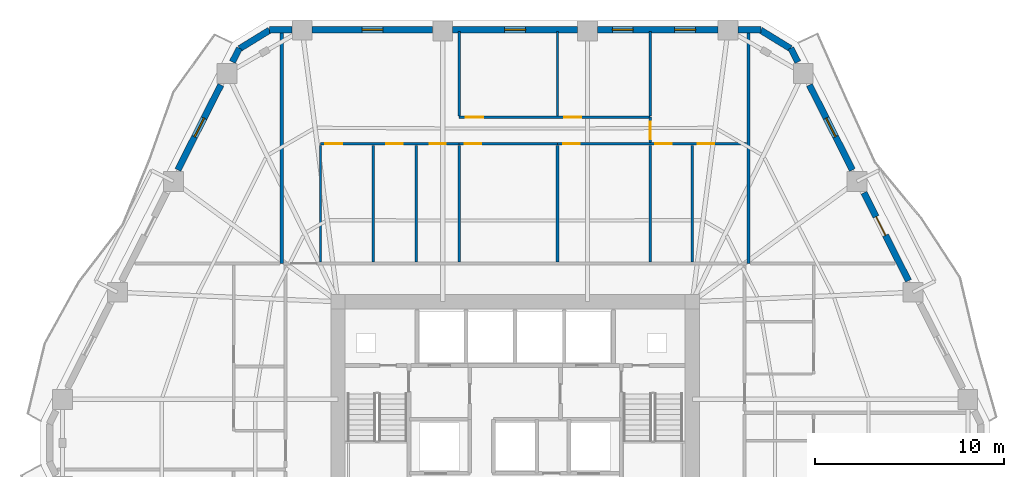
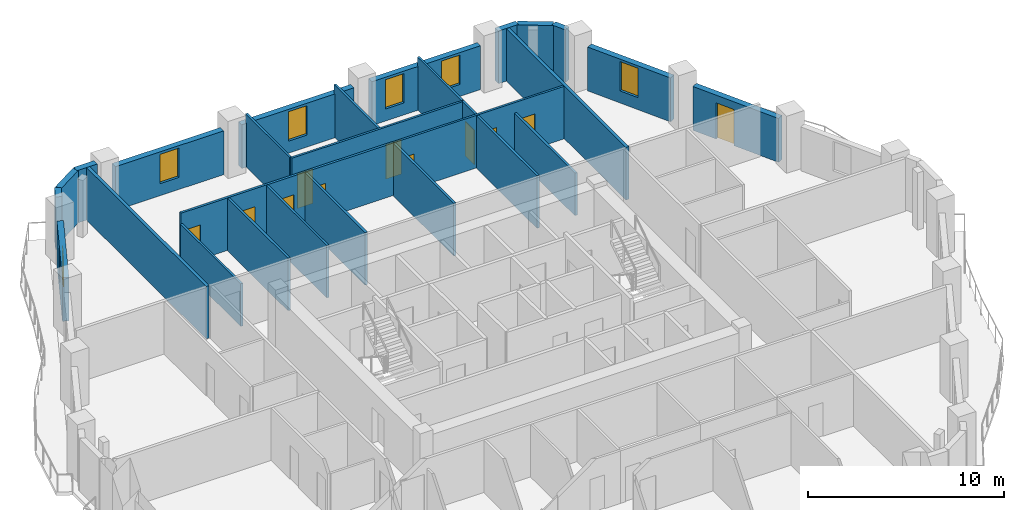
# One storey, part 7 of 11: 29 walls, 11 doors, 6 windows, 17 openings.
"""IFC4 building model written with IfcOpenShell, lengths in metres."""

from ifc_helpers import new_model, si_unit, direction, frame, frame_2d, origin, place, context, subcontext, project, spatial, rectangle, extrude, material, layer, layer_set, type_object, element, fill, save


model = new_model("IFC4")

# Units and contexts
model_context = context("Model", 3, precision=1e-05, world=origin(), true_north=direction((0.0, 1.0)))
body_context = subcontext(model_context, "Body", "Model", "MODEL_VIEW")
ifc_project = project(units=[si_unit("LENGTHUNIT", "METRE"), si_unit("AREAUNIT", "SQUARE_METRE"), si_unit("VOLUMEUNIT", "CUBIC_METRE"), si_unit("PLANEANGLEUNIT", "RADIAN"), si_unit("MASSUNIT", "GRAM", prefix="KILO")], contexts=[model_context])

# Site, building, storey
site_placement = place(None, origin())
site = spatial("IfcSite", under=ifc_project, at=site_placement, CompositionType="ELEMENT")
building_placement = place(site_placement, origin())
building = spatial("IfcBuilding", under=site, at=building_placement, Name="Cinnabar Lancet Tower", CompositionType="ELEMENT")
storey_placement = place(building_placement, frame((0.0, 0.0, 144.550048828125)))
storey = spatial("IfcBuildingStorey", under=building, at=storey_placement, Name="L38", CompositionType="ELEMENT", Elevation=144.550048828125)

# Walls
ifc_material_1 = material(Name="Fire-rated twin-frame acoustic drywall", Category="gypsum")
ifc_layer_1 = layer(ifc_material_1, 0.179931640625)
ifc_layer_set_1 = layer_set([ifc_layer_1], Name="Fire-rated twin-frame acoustic drywall")
wall_type_1 = type_object("IfcWallType", Name="ARC-WL-PARTY-180", PredefinedType="PARTITIONING", material=ifc_layer_set_1)
for number, where, z_axis, x_axis, name in (
    (1, (20.050048828125, 35.300048828125, 0.0), (0.0, 0.0, 1.0), (0.0, 1.0, 0.0), "PW-L38-NPTY-200"),
    (2, (44.75, 35.300048828125, 0.0), (0.0, 0.0, 1.0), (0.0, 1.0, 0.0), "PW-L38-NPTY-448"),
):
    element("IfcWall", number, at=place(storey_placement, frame(where, z_axis=z_axis, x_axis=x_axis)), inside=storey, type_object=wall_type_1, Name=name, PredefinedType="PARTITIONING", context=body_context, shape_type="SweptSolid", body=[
        extrude(rectangle(XDim=12.195068359375, YDim=0.179931640625, at=frame_2d((6.09765625, 0.0))), origin(), (0.0, 0.0, 1.0), 3.27001953125),
    ])
ifc_material_2 = material(Name="Gypsum plasterboard stud partition", Category="gypsum")
ifc_layer_2 = layer(ifc_material_2, 0.125)
ifc_layer_set_2 = layer_set([ifc_layer_2], Name="Gypsum plasterboard stud partition")
wall_type_2 = type_object("IfcWallType", Name="ARC-WL-UNIT-125", PredefinedType="PARTITIONING", material=ifc_layer_set_2)
wall_1_placement = place(storey_placement, frame((22.10009765625, 35.385009765625, 0.0), z_axis=(0.0, 0.0, 1.0), x_axis=(0.0, 1.0, 0.0)))
element("IfcWall", 3, at=wall_1_placement, inside=storey, type_object=wall_type_2, Name="UW-L38-N01-FOYE", PredefinedType="PARTITIONING", context=body_context, shape_type="SweptSolid", body=[
    extrude(rectangle(XDim=6.15087890625, YDim=0.125, at=frame_2d((3.075439453125, 0.0))), origin(), (0.0, 0.0, 1.0), 2.65185546875),
])

# Wall, openings, doors
wall_2_placement = place(storey_placement, frame((34.64306640625, 41.64111328125, 0.0), z_axis=(0.0, 0.0, 1.0), x_axis=(1.0, 0.0, 0.0)))
wall_2 = element("IfcWall", 4, at=wall_2_placement, inside=storey, type_object=wall_type_2, Name="UW-L38-N01-SP2", PredefinedType="PARTITIONING", context=body_context, shape_type="SweptSolid", body=[
    extrude(rectangle(XDim=10.011962890625, YDim=0.125, at=frame_2d((5.005859375, 0.0))), origin(), (0.0, 0.0, 1.0), 3.27001953125),
])
opening_1_placement = place(wall_2_placement, frame((5.179931640625, 0.0, 0.0)))
opening_1 = element("IfcOpeningElement", 5, at=opening_1_placement, cuts=wall_2, Name="Opening BD-01", PredefinedType="OPENING", context=body_context, shape_type="SweptSolid", body=[
    extrude(rectangle(XDim=0.860107421875, YDim=2.10009765625, at=frame_2d((0.43017578125, 1.050048828125))), frame((0.0, 0.072509765625, 0.0), z_axis=(0.0, -1.0, 0.0), x_axis=(1.0, 0.0, 0.0)), (0.0, 0.0, 1.0), 0.14501953125),
])
opening_2_placement = place(wall_2_placement, frame((7.4130859375, 0.0, 0.0)))
opening_2 = element("IfcOpeningElement", 6, at=opening_2_placement, cuts=wall_2, Name="Opening RD-02", PredefinedType="OPENING", context=body_context, shape_type="SweptSolid", body=[
    extrude(rectangle(XDim=0.8798828125, YDim=2.14990234375, at=frame_2d((0.43994140625, 1.074951171875))), frame((0.0, 0.072509765625, 0.0), z_axis=(0.0, -1.0, 0.0), x_axis=(1.0, 0.0, 0.0)), (0.0, 0.0, 1.0), 0.14501953125),
])
opening_3_placement = place(wall_2_placement, frame((0.300048828125, 0.0, 0.0)))
opening_3 = element("IfcOpeningElement", 7, at=opening_3_placement, cuts=wall_2, Name="Opening RD-02", PredefinedType="OPENING", context=body_context, shape_type="SweptSolid", body=[
    extrude(rectangle(XDim=0.8798828125, YDim=2.14990234375, at=frame_2d((0.43994140625, 1.074951171875))), frame((0.0, 0.072509765625, 0.0), z_axis=(0.0, -1.0, 0.0), x_axis=(1.0, 0.0, 0.0)), (0.0, 0.0, 1.0), 0.14501953125),
])
ifc_material_3 = material(Name="Moisture-resistant timber bathroom door", Category="wood")
door_type_1 = type_object("IfcDoorType", Name="ARC-DR-BATH", OperationType="NOTDEFINED", PredefinedType="DOOR", material=ifc_material_3)
door_1_placement = place(opening_1_placement, origin())
door_1 = element("IfcDoor", 8, at=door_1_placement, inside=storey, type_object=door_type_1, Name="DR-L38-N01-ENS", OperationType="SINGLE_SWING_RIGHT", OverallHeight=2.10009765625, OverallWidth=0.860107421875, PredefinedType="DOOR", context=body_context, shape_type="SweptSolid", body=[
    extrude(rectangle(XDim=0.860107421875, YDim=2.10009765625, at=frame_2d((0.43017578125, 1.050048828125))), frame((0.0, 0.02490234375, 0.0), z_axis=(0.0, -1.0, 0.0), x_axis=(1.0, 0.0, 0.0)), (0.0, 0.0, 1.0), 0.050048828125),
])
fill(opening_1, door_1)
ifc_material_4 = material(Name="Engineered timber study door", Category="wood")
door_type_2 = type_object("IfcDoorType", Name="ARC-DR-STUDY", OperationType="NOTDEFINED", PredefinedType="DOOR", material=ifc_material_4)
door_2_placement = place(opening_2_placement, origin())
door_2 = element("IfcDoor", 9, at=door_2_placement, inside=storey, type_object=door_type_2, Name="DR-L38-N01-ENS-WDR", OperationType="SINGLE_SWING_LEFT", OverallHeight=2.14990234375, OverallWidth=0.8798828125, PredefinedType="DOOR", context=body_context, shape_type="SweptSolid", body=[
    extrude(rectangle(XDim=0.8798828125, YDim=2.14990234375, at=frame_2d((0.43994140625, 1.074951171875))), frame((0.0, 0.02490234375, 0.0), z_axis=(0.0, -1.0, 0.0), x_axis=(1.0, 0.0, 0.0)), (0.0, 0.0, 1.0), 0.050048828125),
])
fill(opening_2, door_2)
door_3_placement = place(opening_3_placement, origin())
door_3 = element("IfcDoor", 10, at=door_3_placement, inside=storey, type_object=door_type_2, Name="DR-L38-N01-DRS", OperationType="SINGLE_SWING_LEFT", OverallHeight=2.14990234375, OverallWidth=0.8798828125, PredefinedType="DOOR", context=body_context, shape_type="SweptSolid", body=[
    extrude(rectangle(XDim=0.8798828125, YDim=2.14990234375, at=frame_2d((0.43994140625, 1.074951171875))), frame((0.0, 0.02490234375, 0.0), z_axis=(0.0, -1.0, 0.0), x_axis=(1.0, 0.0, 0.0)), (0.0, 0.0, 1.0), 0.050048828125),
])
fill(opening_3, door_3)

# Walls
wall_3_placement = place(storey_placement, frame((27.162109375, 35.385009765625, 0.0), z_axis=(0.0, 0.0, 1.0), x_axis=(0.0, 1.0, 0.0)))
element("IfcWall", 11, at=wall_3_placement, inside=storey, type_object=wall_type_2, Name="UW-L38-N01-STD", PredefinedType="PARTITIONING", context=body_context, shape_type="SweptSolid", body=[
    extrude(rectangle(XDim=6.15087890625, YDim=0.125, at=frame_2d((3.075439453125, 0.0))), origin(), (0.0, 0.0, 1.0), 3.27001953125),
])
wall_4_placement = place(storey_placement, frame((29.43603515625, 43.10595703125, 0.0), z_axis=(0.0, 0.0, 1.0), x_axis=(0.0, 1.0, 0.0)))
element("IfcWall", 12, at=wall_4_placement, inside=storey, type_object=wall_type_2, Name="UW-L38-N01-BD2W", PredefinedType="PARTITIONING", context=body_context, shape_type="SweptSolid", body=[
    extrude(rectangle(XDim=4.47900390625, YDim=0.125, at=frame_2d((2.239501953125, 0.0))), origin(), (0.0, 0.0, 1.0), 3.27001953125),
])

# Wall, openings, doors
wall_5_placement = place(storey_placement, frame((29.43603515625, 43.041015625, 0.0), z_axis=(0.0, 0.0, 1.0), x_axis=(1.0, 0.0, 0.0)))
wall_5 = element("IfcWall", 13, at=wall_5_placement, inside=storey, type_object=wall_type_2, Name="UW-L38-N01-HLN", PredefinedType="PARTITIONING", context=body_context, shape_type="SweptSolid", body=[
    extrude(rectangle(XDim=10.10693359375, YDim=0.125, at=frame_2d((5.053466796875, 0.0))), origin(), (0.0, 0.0, 1.0), 3.27001953125),
])
opening_4_placement = place(wall_5_placement, frame((0.35009765625, 0.0, 0.0)))
opening_4 = element("IfcOpeningElement", 14, at=opening_4_placement, cuts=wall_5, Name="Opening RD-01", PredefinedType="OPENING", context=body_context, shape_type="SweptSolid", body=[
    extrude(rectangle(XDim=0.919921875, YDim=2.14990234375, at=frame_2d((0.4599609375, 1.074951171875))), frame((0.0, 0.072509765625, 0.0), z_axis=(0.0, -1.0, 0.0), x_axis=(1.0, 0.0, 0.0)), (0.0, 0.0, 1.0), 0.14501953125),
])
opening_5_placement = place(wall_5_placement, frame((5.556884765625, 0.0, 0.0)))
opening_5 = element("IfcOpeningElement", 15, at=opening_5_placement, cuts=wall_5, Name="Opening RD-01", PredefinedType="OPENING", context=body_context, shape_type="SweptSolid", body=[
    extrude(rectangle(XDim=0.919921875, YDim=2.14990234375, at=frame_2d((0.4599609375, 1.074951171875))), frame((0.0, 0.072509765625, 0.0), z_axis=(0.0, -1.0, 0.0), x_axis=(1.0, 0.0, 0.0)), (0.0, 0.0, 1.0), 0.14501953125),
])
ifc_material_5 = material(Name="Engineered timber bedroom door", Category="wood")
door_type_3 = type_object("IfcDoorType", Name="ARC-DR-ROOM", OperationType="NOTDEFINED", PredefinedType="DOOR", material=ifc_material_5)
door_4_placement = place(opening_4_placement, origin())
door_4 = element("IfcDoor", 16, at=door_4_placement, inside=storey, type_object=door_type_3, Name="DR-L38-N01-BD2", OperationType="SINGLE_SWING_RIGHT", OverallHeight=2.14990234375, OverallWidth=0.919921875, PredefinedType="DOOR", context=body_context, shape_type="SweptSolid", body=[
    extrude(rectangle(XDim=0.919921875, YDim=2.14990234375, at=frame_2d((0.4599609375, 1.074951171875))), frame((0.0, 0.02490234375, 0.0), z_axis=(0.0, -1.0, 0.0), x_axis=(1.0, 0.0, 0.0)), (0.0, 0.0, 1.0), 0.050048828125),
])
fill(opening_4, door_4)
door_5_placement = place(opening_5_placement, origin())
door_5 = element("IfcDoor", 17, at=door_5_placement, inside=storey, type_object=door_type_3, Name="DR-L38-N01-BD3", OperationType="SINGLE_SWING_LEFT", OverallHeight=2.14990234375, OverallWidth=0.919921875, PredefinedType="DOOR", context=body_context, shape_type="SweptSolid", body=[
    extrude(rectangle(XDim=0.919921875, YDim=2.14990234375, at=frame_2d((0.4599609375, 1.074951171875))), frame((0.0, 0.02490234375, 0.0), z_axis=(0.0, -1.0, 0.0), x_axis=(1.0, 0.0, 0.0)), (0.0, 0.0, 1.0), 0.050048828125),
])
fill(opening_5, door_5)

# Wall, opening, door
wall_6_placement = place(storey_placement, frame((39.54296875, 41.7109375, 0.0), z_axis=(0.0, 0.0, 1.0), x_axis=(0.0, 1.0, 0.0)))
wall_6 = element("IfcWall", 18, at=wall_6_placement, inside=storey, type_object=wall_type_2, Name="UW-L38-N01-MBE", PredefinedType="PARTITIONING", context=body_context, shape_type="SweptSolid", body=[
    extrude(rectangle(XDim=1.330078125, YDim=0.125, at=frame_2d((0.6650390625, 0.0))), origin(), (0.0, 0.0, 1.0), 3.27001953125),
])
opening_6_placement = place(wall_6_placement, frame((0.159912109375, 0.0, 0.0)))
opening_6 = element("IfcOpeningElement", 19, at=opening_6_placement, cuts=wall_6, Name="Opening RD-01", PredefinedType="OPENING", context=body_context, shape_type="SweptSolid", body=[
    extrude(rectangle(XDim=0.919921875, YDim=2.14990234375, at=frame_2d((0.4599609375, 1.074951171875))), frame((0.0, 0.072509765625, 0.0), z_axis=(0.0, -1.0, 0.0), x_axis=(1.0, 0.0, 0.0)), (0.0, 0.0, 1.0), 0.14501953125),
])
door_6_placement = place(opening_6_placement, origin())
door_6 = element("IfcDoor", 20, at=door_6_placement, inside=storey, type_object=door_type_3, Name="DR-L38-N01-MBD", OperationType="SINGLE_SWING_RIGHT", OverallHeight=2.14990234375, OverallWidth=0.919921875, PredefinedType="DOOR", context=body_context, shape_type="SweptSolid", body=[
    extrude(rectangle(XDim=0.919921875, YDim=2.14990234375, at=frame_2d((0.4599609375, 1.074951171875))), frame((0.0, 0.02490234375, 0.0), z_axis=(0.0, -1.0, 0.0), x_axis=(1.0, 0.0, 0.0)), (0.0, 0.0, 1.0), 0.050048828125),
])
fill(opening_6, door_6)

# Walls
for number, where, z_axis, x_axis, name in (
    (21, (34.64306640625, 43.10595703125, 0.0), (0.0, 0.0, 1.0), (0.0, 1.0, 0.0), "UW-L38-N01-MB2W"),
    (22, (39.54296875, 43.10595703125, 0.0), (0.0, 0.0, 1.0), (0.0, 1.0, 0.0), "UW-L38-N01-B23W"),
):
    element("IfcWall", number, at=place(storey_placement, frame(where, z_axis=z_axis, x_axis=x_axis)), inside=storey, type_object=wall_type_2, Name=name, PredefinedType="PARTITIONING", context=body_context, shape_type="SweptSolid", body=[
        extrude(rectangle(XDim=4.47900390625, YDim=0.125, at=frame_2d((2.239501953125, 0.0))), origin(), (0.0, 0.0, 1.0), 3.27001953125),
    ])

# Wall, openings, doors
ifc_material_6 = material(Name="Moisture-resistant cement-board plumbing wall", Category="masonry")
ifc_layer_3 = layer(ifc_material_6, 0.139892578125)
ifc_layer_set_3 = layer_set([ifc_layer_3], Name="Moisture-resistant cement-board plumbing wall")
wall_type_3 = type_object("IfcWallType", Name="ARC-WL-WET-140", PredefinedType="PLUMBINGWALL", material=ifc_layer_set_3)
wall_7_placement = place(storey_placement, frame((22.10009765625, 41.64111328125, 0.0), z_axis=(0.0, 0.0, 1.0), x_axis=(1.0, 0.0, 0.0)))
wall_7 = element("IfcWall", 23, at=wall_7_placement, inside=storey, type_object=wall_type_3, Name="UW-L38-N01-SPL", PredefinedType="PLUMBINGWALL", context=body_context, shape_type="SweptSolid", body=[
    extrude(rectangle(XDim=7.3359375, YDim=0.139892578125, at=frame_2d((3.66796875, 0.0))), origin(), (0.0, 0.0, 1.0), 3.27001953125),
])
opening_7_placement = place(wall_7_placement, frame((5.77392578125, 0.0, 0.0)))
opening_7 = element("IfcOpeningElement", 24, at=opening_7_placement, cuts=wall_7, Name="Opening BD-01", PredefinedType="OPENING", context=body_context, shape_type="SweptSolid", body=[
    extrude(rectangle(XDim=0.860107421875, YDim=2.10009765625, at=frame_2d((0.43017578125, 1.050048828125))), frame((0.0, 0.079833984375, 0.0), z_axis=(0.0, -1.0, 0.0), x_axis=(1.0, 0.0, 0.0)), (0.0, 0.0, 1.0), 0.159912109375),
])
opening_8_placement = place(wall_7_placement, frame((0.260009765625, 0.0, 0.0)))
opening_8 = element("IfcOpeningElement", 25, at=opening_8_placement, cuts=wall_7, Name="Opening RD-02", PredefinedType="OPENING", context=body_context, shape_type="SweptSolid", body=[
    extrude(rectangle(XDim=0.8798828125, YDim=2.14990234375, at=frame_2d((0.43994140625, 1.074951171875))), frame((0.0, 0.079833984375, 0.0), z_axis=(0.0, -1.0, 0.0), x_axis=(1.0, 0.0, 0.0)), (0.0, 0.0, 1.0), 0.159912109375),
])
opening_9_placement = place(wall_7_placement, frame((3.485107421875, 0.0, 0.0)))
opening_9 = element("IfcOpeningElement", 26, at=opening_9_placement, cuts=wall_7, Name="Opening RD-02", PredefinedType="OPENING", context=body_context, shape_type="SweptSolid", body=[
    extrude(rectangle(XDim=0.8798828125, YDim=2.14990234375, at=frame_2d((0.43994140625, 1.074951171875))), frame((0.0, 0.079833984375, 0.0), z_axis=(0.0, -1.0, 0.0), x_axis=(1.0, 0.0, 0.0)), (0.0, 0.0, 1.0), 0.159912109375),
])
door_7_placement = place(opening_7_placement, origin())
door_7 = element("IfcDoor", 27, at=door_7_placement, inside=storey, type_object=door_type_1, Name="DR-L38-N01-BTH", OperationType="SINGLE_SWING_RIGHT", OverallHeight=2.10009765625, OverallWidth=0.860107421875, PredefinedType="DOOR", context=body_context, shape_type="SweptSolid", body=[
    extrude(rectangle(XDim=0.860107421875, YDim=2.10009765625, at=frame_2d((0.43017578125, 1.050048828125))), frame((0.0, 0.02490234375, 0.0), z_axis=(0.0, -1.0, 0.0), x_axis=(1.0, 0.0, 0.0)), (0.0, 0.0, 1.0), 0.050048828125),
])
fill(opening_7, door_7)
door_8_placement = place(opening_8_placement, origin())
door_8 = element("IfcDoor", 28, at=door_8_placement, inside=storey, type_object=door_type_2, Name="DR-L38-N01-KIT", OperationType="SINGLE_SWING_RIGHT", OverallHeight=2.14990234375, OverallWidth=0.8798828125, PredefinedType="DOOR", context=body_context, shape_type="SweptSolid", body=[
    extrude(rectangle(XDim=0.8798828125, YDim=2.14990234375, at=frame_2d((0.43994140625, 1.074951171875))), frame((0.0, 0.02490234375, 0.0), z_axis=(0.0, -1.0, 0.0), x_axis=(1.0, 0.0, 0.0)), (0.0, 0.0, 1.0), 0.050048828125),
])
fill(opening_8, door_8)
door_9_placement = place(opening_9_placement, origin())
door_9 = element("IfcDoor", 29, at=door_9_placement, inside=storey, type_object=door_type_2, Name="DR-L38-N01-STD", OperationType="SINGLE_SWING_LEFT", OverallHeight=2.14990234375, OverallWidth=0.8798828125, PredefinedType="DOOR", context=body_context, shape_type="SweptSolid", body=[
    extrude(rectangle(XDim=0.8798828125, YDim=2.14990234375, at=frame_2d((0.43994140625, 1.074951171875))), frame((0.0, 0.02490234375, 0.0), z_axis=(0.0, -1.0, 0.0), x_axis=(1.0, 0.0, 0.0)), (0.0, 0.0, 1.0), 0.050048828125),
])
fill(opening_9, door_9)

# Wall, opening, door
wall_8_placement = place(storey_placement, frame((29.43603515625, 41.64111328125, 0.0), z_axis=(0.0, 0.0, 1.0), x_axis=(1.0, 0.0, 0.0)))
wall_8 = element("IfcWall", 30, at=wall_8_placement, inside=storey, type_object=wall_type_3, Name="UW-L38-N01-SPM", PredefinedType="PLUMBINGWALL", context=body_context, shape_type="SweptSolid", body=[
    extrude(rectangle(XDim=5.20703125, YDim=0.139892578125, at=frame_2d((2.603515625, 0.0))), origin(), (0.0, 0.0, 1.0), 3.27001953125),
])
opening_10_placement = place(wall_8_placement, frame((0.300048828125, 0.0, 0.0)))
opening_10 = element("IfcOpeningElement", 31, at=opening_10_placement, cuts=wall_8, Name="Opening RD-02", PredefinedType="OPENING", context=body_context, shape_type="SweptSolid", body=[
    extrude(rectangle(XDim=0.8798828125, YDim=2.14990234375, at=frame_2d((0.43994140625, 1.074951171875))), frame((0.0, 0.079833984375, 0.0), z_axis=(0.0, -1.0, 0.0), x_axis=(1.0, 0.0, 0.0)), (0.0, 0.0, 1.0), 0.159912109375),
])
door_10_placement = place(opening_10_placement, origin())
door_10 = element("IfcDoor", 32, at=door_10_placement, inside=storey, type_object=door_type_2, Name="DR-L38-N01-UTL", OperationType="SINGLE_SWING_LEFT", OverallHeight=2.14990234375, OverallWidth=0.8798828125, PredefinedType="DOOR", context=body_context, shape_type="SweptSolid", body=[
    extrude(rectangle(XDim=0.8798828125, YDim=2.14990234375, at=frame_2d((0.43994140625, 1.074951171875))), frame((0.0, 0.02490234375, 0.0), z_axis=(0.0, -1.0, 0.0), x_axis=(1.0, 0.0, 0.0)), (0.0, 0.0, 1.0), 0.050048828125),
])
fill(opening_10, door_10)

# Walls
for number, where, z_axis, x_axis, name in (
    (33, (24.887939453125, 35.385009765625, 0.0), (0.0, 0.0, 1.0), (0.0, 1.0, 0.0), "UW-L38-N01-KDV"),
    (34, (29.43603515625, 35.385009765625, 0.0), (0.0, 0.0, 1.0), (0.0, 1.0, 0.0), "UW-L38-N01-ENSW"),
    (35, (34.64306640625, 35.385009765625, 0.0), (0.0, 0.0, 1.0), (0.0, 1.0, 0.0), "UW-L38-N01-ENSE"),
    (36, (39.54296875, 35.385009765625, 0.0), (0.0, 0.0, 1.0), (0.0, 1.0, 0.0), "UW-L38-N01-UT3"),
):
    element("IfcWall", number, at=place(storey_placement, frame(where, z_axis=z_axis, x_axis=x_axis)), inside=storey, type_object=wall_type_3, Name=name, PredefinedType="PLUMBINGWALL", context=body_context, shape_type="SweptSolid", body=[
        extrude(rectangle(XDim=6.15087890625, YDim=0.139892578125, at=frame_2d((3.075439453125, 0.0))), origin(), (0.0, 0.0, 1.0), 3.27001953125),
    ])
wall_9_placement = place(storey_placement, frame((41.77587890625, 35.385009765625, 0.0), z_axis=(0.0, 0.0, 1.0), x_axis=(0.0, 1.0, 0.0)))
element("IfcWall", 37, at=wall_9_placement, inside=storey, type_object=wall_type_3, Name="UW-L38-N01-ENS-WDV", PredefinedType="PLUMBINGWALL", context=body_context, shape_type="SweptSolid", body=[
    extrude(rectangle(XDim=6.1708984375, YDim=0.139892578125, at=frame_2d((3.08544921875, 0.0))), origin(), (0.0, 0.0, 1.0), 2.65185546875),
])
ifc_material_7 = material(Name="Cinnabar red clay brick", Category="masonry")
ifc_layer_4 = layer(ifc_material_7, 0.340087890625)
ifc_layer_set_4 = layer_set([ifc_layer_4], Name="Cinnabar red clay brick")
wall_type_4 = type_object("IfcWallType", Name="ENV-WL-BRK-RED-340", PredefinedType="STANDARD", material=ifc_layer_set_4)
for number, where, z_axis, x_axis, name in (
    (38, (46.970947265625, 46.677001953125, 0.0), (0.0, 0.0, 1.0), (-0.851798915137, 0.523868884523, 0.0), "L38 Chamfered Corner Brick Pier 4.1"),
    (39, (19.403076171875, 47.64501953125, 0.0), (0.0, 0.0, 1.0), (-0.851798915137, -0.523868884523, 0.0), "L38 Chamfered Corner Brick Pier 5.1"),
):
    element("IfcWall", number, at=place(storey_placement, frame(where, z_axis=z_axis, x_axis=x_axis)), inside=storey, type_object=wall_type_4, Name=name, PredefinedType="STANDARD", context=body_context, shape_type="SweptSolid", body=[
        extrude(rectangle(XDim=1.847900390625, YDim=0.340087890625, at=frame_2d((0.923828125, 0.0))), origin(), (0.0, 0.0, 1.0), 3.27001953125),
    ])

# Wall, opening, door
wall_10_placement = place(storey_placement, frame((53.219970703125, 34.382080078125, 0.0), z_axis=(0.0, 0.0, 1.0), x_axis=(-0.451567731634, 0.892236842855, 0.0)))
wall_10 = element("IfcWall", 40, at=wall_10_placement, inside=storey, type_object=wall_type_4, Name="L38 Face 3 Masonry Bay Wall 3", PredefinedType="STANDARD", context=body_context, shape_type="SweptSolid", body=[
    extrude(rectangle(XDim=5.219482421875, YDim=0.340087890625, at=frame_2d((2.60986328125, 0.0))), origin(), (0.0, 0.0, 1.0), 2.72705078125),
])
opening_11_placement = place(wall_10_placement, frame((2.698974609375, 0.0, 0.0)))
opening_11 = element("IfcOpeningElement", 41, at=opening_11_placement, cuts=wall_10, Name="Opening TD-01", PredefinedType="OPENING", context=body_context, shape_type="SweptSolid", body=[
    extrude(rectangle(XDim=1.10009765625, YDim=2.25, at=frame_2d((0.550048828125, 1.125))), frame((0.0, 0.179931640625, 0.0), z_axis=(0.0, -1.0, 0.0), x_axis=(1.0, 0.0, 0.0)), (0.0, 0.0, 1.0), 0.360107421875),
])
ifc_material_8 = material(Name="Thermally broken low-E glazed balcony terrace door", Category="wood")
door_type_4 = type_object("IfcDoorType", Name="ARC-DR-BALC", OperationType="NOTDEFINED", PredefinedType="DOOR", material=ifc_material_8)
door_11_placement = place(opening_11_placement, origin())
door_11 = element("IfcDoor", 42, at=door_11_placement, inside=storey, type_object=door_type_4, Name="L38 Face 3 Glazed Terrace Door", OperationType="SINGLE_SWING_RIGHT", OverallHeight=2.25, OverallWidth=1.10009765625, PredefinedType="DOOR", context=body_context, shape_type="SweptSolid", body=[
    extrude(rectangle(XDim=1.10009765625, YDim=2.25, at=frame_2d((0.550048828125, 1.125))), frame((0.0, 0.02490234375, 0.0), z_axis=(0.0, -1.0, 0.0), x_axis=(1.0, 0.0, 0.0)), (0.0, 0.0, 1.0), 0.050048828125),
])
fill(opening_11, door_11)

# Wall, opening, window
wall_11_placement = place(storey_placement, frame((50.2509765625, 40.2509765625, 0.0), z_axis=(0.0, 0.0, 1.0), x_axis=(-0.451548465867, 0.892246593142, 0.0)))
wall_11 = element("IfcWall", 43, at=wall_11_placement, inside=storey, type_object=wall_type_4, Name="L38 Face 3 Masonry Bay Wall 4", PredefinedType="STANDARD", context=body_context, shape_type="SweptSolid", body=[
    extrude(rectangle(XDim=5.040283203125, YDim=0.340087890625, at=frame_2d((2.52001953125, 0.0))), origin(), (0.0, 0.0, 1.0), 2.72705078125),
])
opening_12_placement = place(wall_11_placement, frame((1.969970703125, 0.0, 0.75)))
opening_12 = element("IfcOpeningElement", 44, at=opening_12_placement, cuts=wall_11, Name="Opening WN-04", PredefinedType="OPENING", context=body_context, shape_type="SweptSolid", body=[
    extrude(rectangle(XDim=1.10009765625, YDim=1.826904296875, at=frame_2d((0.550048828125, 0.91357421875))), frame((0.0, 0.179931640625, 0.0), z_axis=(0.0, -1.0, 0.0), x_axis=(1.0, 0.0, 0.0)), (0.0, 0.0, 1.0), 0.360107421875),
])
ifc_material_9 = material(Name="Thermally broken bronze-anodized aluminium tall lancet window", Category="aluminium")
window_type = type_object("IfcWindowType", Name="ENV-WN-LANCET-1100", PartitioningType="SINGLE_PANEL", PredefinedType="WINDOW", material=ifc_material_9)
window_1_placement = place(opening_12_placement, origin())
window_1 = element("IfcWindow", 45, at=window_1_placement, inside=storey, type_object=window_type, Name="L38 Face 3 Gothic Lancet Window 4", OverallHeight=1.826904296875, OverallWidth=1.10009765625, PartitioningType="SINGLE_PANEL", PredefinedType="WINDOW", context=body_context, shape_type="SweptSolid", body=[
    extrude(rectangle(XDim=1.10009765625, YDim=1.826904296875, at=frame_2d((0.550048828125, 0.91357421875))), frame((0.0, 0.030029296875, 0.0), z_axis=(0.0, -1.0, 0.0), x_axis=(1.0, 0.0, 0.0)), (0.0, 0.0, 1.0), 0.06005859375),
])
fill(opening_12, window_1)

# Walls
wall_12_placement = place(storey_placement, frame((47.362060546875, 45.9599609375, 0.0), z_axis=(0.0, 0.0, 1.0), x_axis=(-0.45160540153, 0.89221777684, 0.0)))
element("IfcWall", 46, at=wall_12_placement, inside=storey, type_object=wall_type_4, Name="L38 Face 3 Masonry Bay Wall 5", PredefinedType="STANDARD", context=body_context, shape_type="SweptSolid", body=[
    extrude(rectangle(XDim=0.82177734375, YDim=0.340087890625, at=frame_2d((0.410888671875, 0.0))), origin(), (0.0, 0.0, 1.0), 3.27001953125),
])
wall_13_placement = place(storey_placement, frame((45.402099609375, 47.669921875, 0.0), z_axis=(0.0, 0.0, 1.0), x_axis=(-1.0, 0.0, 0.0)))
element("IfcWall", 47, at=wall_13_placement, inside=storey, type_object=wall_type_4, Name="L38 Face 4 Masonry Bay Wall 1", PredefinedType="STANDARD", context=body_context, shape_type="SweptSolid", body=[
    extrude(rectangle(XDim=1.2041015625, YDim=0.340087890625, at=frame_2d((0.60205078125, 0.0))), origin(), (0.0, 0.0, 1.0), 3.27001953125),
])

# Wall, openings, windows
wall_14_placement = place(storey_placement, frame((43.139892578125, 47.669921875, 0.0), z_axis=(0.0, 0.0, 1.0), x_axis=(-1.0, 0.0, 0.0)))
wall_14 = element("IfcWall", 48, at=wall_14_placement, inside=storey, type_object=wall_type_4, Name="L38 Face 4 Masonry Bay Wall 2", PredefinedType="STANDARD", context=body_context, shape_type="SweptSolid", body=[
    extrude(rectangle(XDim=6.37890625, YDim=0.340087890625, at=frame_2d((3.189453125, 0.0))), origin(), (0.0, 0.0, 1.0), 2.72705078125),
])
opening_13_placement = place(wall_14_placement, frame((1.19189453125, 0.0, 0.75)))
opening_13 = element("IfcOpeningElement", 49, at=opening_13_placement, cuts=wall_14, Name="Opening WN-04", PredefinedType="OPENING", context=body_context, shape_type="SweptSolid", body=[
    extrude(rectangle(XDim=1.10009765625, YDim=1.826904296875, at=frame_2d((0.550048828125, 0.91357421875))), frame((0.0, 0.179931640625, 0.0), z_axis=(0.0, -1.0, 0.0), x_axis=(1.0, 0.0, 0.0)), (0.0, 0.0, 1.0), 0.360107421875),
])
opening_14_placement = place(wall_14_placement, frame((4.493896484375, 0.0, 0.75)))
opening_14 = element("IfcOpeningElement", 50, at=opening_14_placement, cuts=wall_14, Name="Opening WN-04", PredefinedType="OPENING", context=body_context, shape_type="SweptSolid", body=[
    extrude(rectangle(XDim=1.10009765625, YDim=1.826904296875, at=frame_2d((0.550048828125, 0.91357421875))), frame((0.0, 0.179931640625, 0.0), z_axis=(0.0, -1.0, 0.0), x_axis=(1.0, 0.0, 0.0)), (0.0, 0.0, 1.0), 0.360107421875),
])
window_2_placement = place(opening_13_placement, origin())
window_2 = element("IfcWindow", 51, at=window_2_placement, inside=storey, type_object=window_type, Name="L38 Face 4 Gothic Lancet Window 2", OverallHeight=1.826904296875, OverallWidth=1.10009765625, PartitioningType="SINGLE_PANEL", PredefinedType="WINDOW", context=body_context, shape_type="SweptSolid", body=[
    extrude(rectangle(XDim=1.10009765625, YDim=1.826904296875, at=frame_2d((0.550048828125, 0.91357421875))), frame((0.0, 0.030029296875, 0.0), z_axis=(0.0, -1.0, 0.0), x_axis=(1.0, 0.0, 0.0)), (0.0, 0.0, 1.0), 0.06005859375),
])
fill(opening_13, window_2)
window_3_placement = place(opening_14_placement, origin())
window_3 = element("IfcWindow", 52, at=window_3_placement, inside=storey, type_object=window_type, Name="L38 Split-Bay Gothic Lancet Window 111", OverallHeight=1.826904296875, OverallWidth=1.10009765625, PartitioningType="SINGLE_PANEL", PredefinedType="WINDOW", context=body_context, shape_type="SweptSolid", body=[
    extrude(rectangle(XDim=1.10009765625, YDim=1.826904296875, at=frame_2d((0.550048828125, 0.91357421875))), frame((0.0, 0.030029296875, 0.0), z_axis=(0.0, -1.0, 0.0), x_axis=(1.0, 0.0, 0.0)), (0.0, 0.0, 1.0), 0.06005859375),
])
fill(opening_14, window_3)

# Wall, opening, window
wall_15_placement = place(storey_placement, frame((35.702880859375, 47.669921875, 0.0), z_axis=(0.0, 0.0, 1.0), x_axis=(-1.0, 0.0, 0.0)))
wall_15 = element("IfcWall", 53, at=wall_15_placement, inside=storey, type_object=wall_type_4, Name="L38 Face 4 Masonry Bay Wall 3", PredefinedType="STANDARD", context=body_context, shape_type="SweptSolid", body=[
    extrude(rectangle(XDim=6.60595703125, YDim=0.340087890625, at=frame_2d((3.302978515625, 0.0))), origin(), (0.0, 0.0, 1.0), 2.72705078125),
])
opening_15_placement = place(wall_15_placement, frame((2.7529296875, 0.0, 0.75)))
opening_15 = element("IfcOpeningElement", 54, at=opening_15_placement, cuts=wall_15, Name="Opening WN-04", PredefinedType="OPENING", context=body_context, shape_type="SweptSolid", body=[
    extrude(rectangle(XDim=1.10009765625, YDim=1.826904296875, at=frame_2d((0.550048828125, 0.91357421875))), frame((0.0, 0.179931640625, 0.0), z_axis=(0.0, -1.0, 0.0), x_axis=(1.0, 0.0, 0.0)), (0.0, 0.0, 1.0), 0.360107421875),
])
window_4_placement = place(opening_15_placement, origin())
window_4 = element("IfcWindow", 55, at=window_4_placement, inside=storey, type_object=window_type, Name="L38 Face 4 Gothic Lancet Window 3", OverallHeight=1.826904296875, OverallWidth=1.10009765625, PartitioningType="SINGLE_PANEL", PredefinedType="WINDOW", context=body_context, shape_type="SweptSolid", body=[
    extrude(rectangle(XDim=1.10009765625, YDim=1.826904296875, at=frame_2d((0.550048828125, 0.91357421875))), frame((0.0, 0.030029296875, 0.0), z_axis=(0.0, -1.0, 0.0), x_axis=(1.0, 0.0, 0.0)), (0.0, 0.0, 1.0), 0.06005859375),
])
fill(opening_15, window_4)

wall_16_placement = place(storey_placement, frame((28.0390625, 47.669921875, 0.0), z_axis=(0.0, 0.0, 1.0), x_axis=(-1.0, 0.0, 0.0)))
wall_16 = element("IfcWall", 56, at=wall_16_placement, inside=storey, type_object=wall_type_4, Name="L38 Face 4 Masonry Bay Wall 4", PredefinedType="STANDARD", context=body_context, shape_type="SweptSolid", body=[
    extrude(rectangle(XDim=6.379150390625, YDim=0.340087890625, at=frame_2d((3.189453125, 0.0))), origin(), (0.0, 0.0, 1.0), 2.72705078125),
])
opening_16_placement = place(wall_16_placement, frame((2.639892578125, 0.0, 0.75)))
opening_16 = element("IfcOpeningElement", 57, at=opening_16_placement, cuts=wall_16, Name="Opening WN-04", PredefinedType="OPENING", context=body_context, shape_type="SweptSolid", body=[
    extrude(rectangle(XDim=1.10009765625, YDim=1.826904296875, at=frame_2d((0.550048828125, 0.91357421875))), frame((0.0, 0.179931640625, 0.0), z_axis=(0.0, -1.0, 0.0), x_axis=(1.0, 0.0, 0.0)), (0.0, 0.0, 1.0), 0.360107421875),
])
window_5_placement = place(opening_16_placement, origin())
window_5 = element("IfcWindow", 58, at=window_5_placement, inside=storey, type_object=window_type, Name="L38 Face 4 Gothic Lancet Window 4", OverallHeight=1.826904296875, OverallWidth=1.10009765625, PartitioningType="SINGLE_PANEL", PredefinedType="WINDOW", context=body_context, shape_type="SweptSolid", body=[
    extrude(rectangle(XDim=1.10009765625, YDim=1.826904296875, at=frame_2d((0.550048828125, 0.91357421875))), frame((0.0, 0.030029296875, 0.0), z_axis=(0.0, -1.0, 0.0), x_axis=(1.0, 0.0, 0.0)), (0.0, 0.0, 1.0), 0.06005859375),
])
fill(opening_16, window_5)

# Walls
wall_17_placement = place(storey_placement, frame((20.60205078125, 47.669921875, 0.0), z_axis=(0.0, 0.0, 1.0), x_axis=(-1.0, 0.0, 0.0)))
element("IfcWall", 59, at=wall_17_placement, inside=storey, type_object=wall_type_4, Name="L38 Face 4 Masonry Bay Wall 5", PredefinedType="STANDARD", context=body_context, shape_type="SweptSolid", body=[
    extrude(rectangle(XDim=1.2041015625, YDim=0.340087890625, at=frame_2d((0.60205078125, 0.0))), origin(), (0.0, 0.0, 1.0), 3.27001953125),
])
wall_18_placement = place(storey_placement, frame((17.80908203125, 46.693115234375, 0.0), z_axis=(0.0, 0.0, 1.0), x_axis=(-0.45160540153, -0.89221777684, 0.0)))
element("IfcWall", 60, at=wall_18_placement, inside=storey, type_object=wall_type_4, Name="L38 Face 5 Masonry Bay Wall 1", PredefinedType="STANDARD", context=body_context, shape_type="SweptSolid", body=[
    extrude(rectangle(XDim=0.82177734375, YDim=0.340087890625, at=frame_2d((0.410888671875, 0.0))), origin(), (0.0, 0.0, 1.0), 3.27001953125),
])

# Wall, opening, window
wall_19_placement = place(storey_placement, frame((16.824951171875, 44.748046875, 0.0), z_axis=(0.0, 0.0, 1.0), x_axis=(-0.451548465867, -0.892246593142, 0.0)))
wall_19 = element("IfcWall", 61, at=wall_19_placement, inside=storey, type_object=wall_type_4, Name="L38 Face 5 Masonry Bay Wall 2", PredefinedType="STANDARD", context=body_context, shape_type="SweptSolid", body=[
    extrude(rectangle(XDim=5.040283203125, YDim=0.340087890625, at=frame_2d((2.52001953125, 0.0))), origin(), (0.0, 0.0, 1.0), 2.72705078125),
])
opening_17_placement = place(wall_19_placement, frame((1.969970703125, 0.0, 0.75)))
opening_17 = element("IfcOpeningElement", 62, at=opening_17_placement, cuts=wall_19, Name="Opening WN-04", PredefinedType="OPENING", context=body_context, shape_type="SweptSolid", body=[
    extrude(rectangle(XDim=1.10009765625, YDim=1.826904296875, at=frame_2d((0.550048828125, 0.91357421875))), frame((0.0, 0.179931640625, 0.0), z_axis=(0.0, -1.0, 0.0), x_axis=(1.0, 0.0, 0.0)), (0.0, 0.0, 1.0), 0.360107421875),
])
window_6_placement = place(opening_17_placement, origin())
window_6 = element("IfcWindow", 63, at=window_6_placement, inside=storey, type_object=window_type, Name="L38 Face 5 Gothic Lancet Window 2", OverallHeight=1.826904296875, OverallWidth=1.10009765625, PartitioningType="SINGLE_PANEL", PredefinedType="WINDOW", context=body_context, shape_type="SweptSolid", body=[
    extrude(rectangle(XDim=1.10009765625, YDim=1.826904296875, at=frame_2d((0.550048828125, 0.91357421875))), frame((0.0, 0.030029296875, 0.0), z_axis=(0.0, -1.0, 0.0), x_axis=(1.0, 0.0, 0.0)), (0.0, 0.0, 1.0), 0.06005859375),
])
fill(opening_17, window_6)

save(model, "model.ifc")
